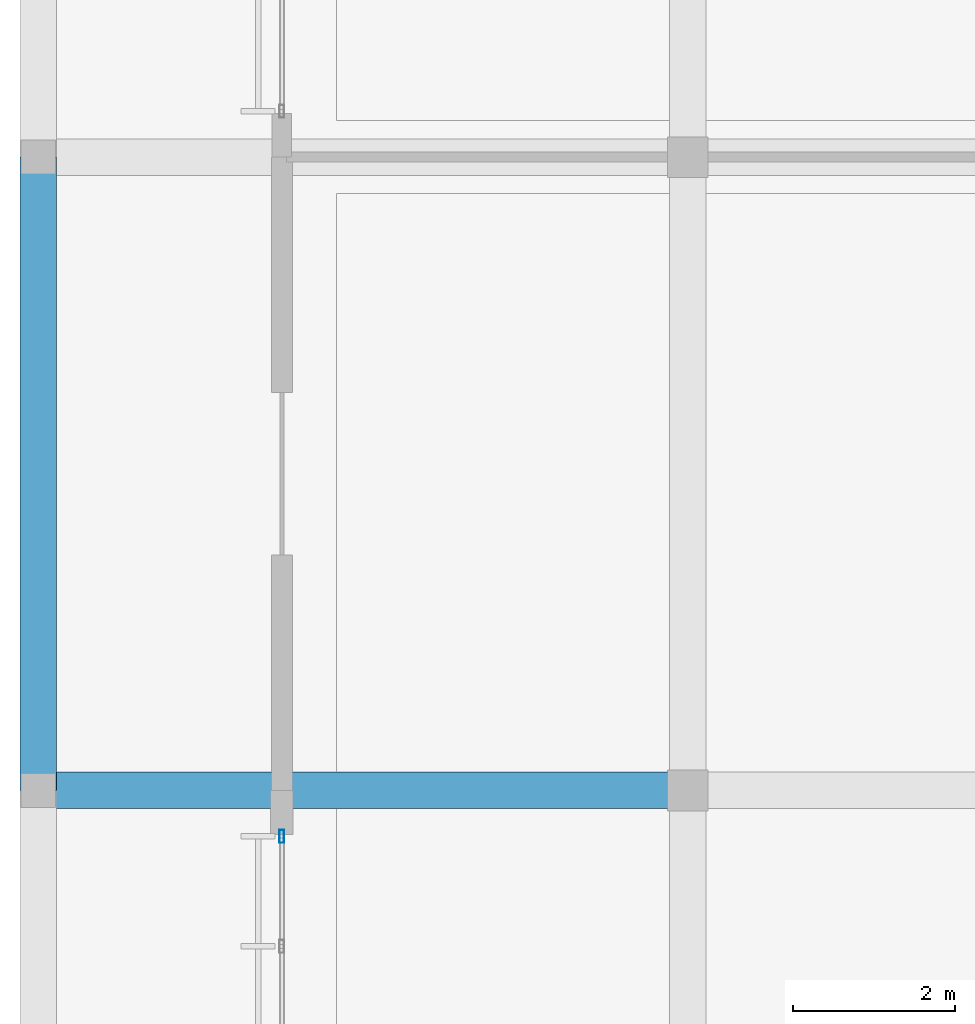
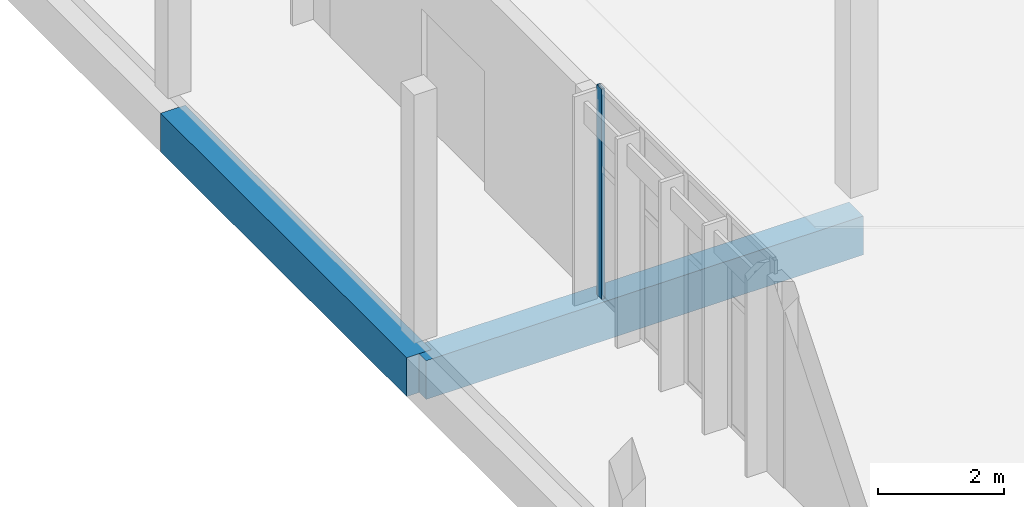
# One storey, part 29 of 151: 2 beams, 1 member, 1 element without a shape of its own.
"""IFC4 building model written with IfcOpenShell, lengths in metres."""

from ifc_helpers import new_model, si_unit, direction, frame, origin, origin_2d, place, context, subcontext, project, spatial, rectangle, hollow_rectangle, extrude, material, material_profile, profile_set, type_object, element, aggregate, save


model = new_model("IFC4")

# Units and contexts
model_context = context("Model", 3, precision=1e-05, world=origin(), true_north=direction((0.0, 1.0)))
body_context = subcontext(model_context, "Body", "Model", "MODEL_VIEW")
ifc_project = project(units=[si_unit("LENGTHUNIT", "METRE"), si_unit("AREAUNIT", "SQUARE_METRE"), si_unit("VOLUMEUNIT", "CUBIC_METRE"), si_unit("PLANEANGLEUNIT", "RADIAN"), si_unit("MASSUNIT", "GRAM", prefix="KILO")], contexts=[model_context])

# Site, building, storey
site_placement = place(None, origin())
site = spatial("IfcSite", under=ifc_project, at=site_placement, CompositionType="ELEMENT")
building_placement = place(site_placement, origin())
building = spatial("IfcBuilding", under=site, at=building_placement, Name="Chiffa Square Polytechnic", CompositionType="ELEMENT")
storey_placement = place(building_placement, origin())
storey = spatial("IfcBuildingStorey", under=building, at=storey_placement, Name="L00", CompositionType="ELEMENT", Elevation=0.0)

# Curtain wall, member
ifc_material_1 = material(Name="Aluminium EN AW-6060 T66 and glulam shading", Category="wood")
curtain_wall_type = type_object("IfcCurtainWallType", Name="CW-VERT-360X380", PredefinedType="USERDEFINED", material=ifc_material_1)
curtain_wall_placement = place(storey_placement, origin())
curtain_wall = element("IfcCurtainWall", 1, at=curtain_wall_placement, inside=storey, type_object=curtain_wall_type, Name="Curtain wall CW-V6-L00-253", ObjectType="CURTAIN WALL", PredefinedType="USERDEFINED")
ifc_material_2 = material(Name="Aluminium EN AW-6060 T66", Category="aluminium")
ifc_material_profile_1 = material_profile(ifc_material_2, hollow_rectangle(XDim=0.06005859375, YDim=0.159912109375, WallThickness=0.00390625, at=origin_2d()), Name="ALU 60x160x4")
ifc_profile_set_1 = profile_set([ifc_material_profile_1], Name="Aluminium EN AW-6060 T66")
member_type = type_object("IfcMemberType", Name="CWM-ALU-65X150", PredefinedType="MULLION", material=ifc_profile_set_1)
member_placement = place(storey_placement, frame((3.0, 57.034912109375, 0.0), z_axis=(0.0, 0.0, 1.0), x_axis=(1.0, 0.0, 0.0)))
member = element("IfcMember", 2, at=member_placement, type_object=member_type, Name="Curtain wall mullion CW-V6-L00-253-M00", PredefinedType="MULLION", context=body_context, shape_type="SweptSolid", body=[
    extrude(hollow_rectangle(XDim=0.06005859375, YDim=0.159912109375, WallThickness=0.00390625, at=origin_2d()), origin(), (0.0, 0.0, 1.0), 4.06494140625),
])
aggregate(curtain_wall, [member])

# Beams
ifc_material_3 = material(Name="Concrete C35/45", Category="concrete")
ifc_material_profile_2 = material_profile(ifc_material_3, rectangle(XDim=0.449951171875, YDim=0.75, at=origin_2d()), Name="RC 450x750")
ifc_profile_set_2 = profile_set([ifc_material_profile_2], Name="Concrete C35/45")
beam_type = type_object("IfcBeamType", Name="GB-RC-450X750", PredefinedType="BEAM", material=ifc_profile_set_2)
beam_1_placement = place(storey_placement, frame((0.0, 57.60009765625, -0.77490234375), z_axis=(1.0, 0.0, 0.0), x_axis=(0.0, 1.0, 0.0)))
element("IfcBeam", 3, at=beam_1_placement, inside=storey, type_object=beam_type, Name="Ground tie beam GB-V6-X-163", PredefinedType="BEAM", context=body_context, shape_type="SweptSolid", body=[
    extrude(rectangle(XDim=0.449951171875, YDim=0.75, at=origin_2d()), origin(), (0.0, 0.0, 1.0), 8.0),
])
beam_2_placement = place(storey_placement, frame((0.0, 57.60009765625, -0.77490234375), z_axis=(0.0, 1.0, 0.0), x_axis=(-1.0, 0.0, 0.0)))
element("IfcBeam", 4, at=beam_2_placement, inside=storey, type_object=beam_type, Name="Ground tie beam GB-V6-Y-198", PredefinedType="BEAM", context=body_context, shape_type="SweptSolid", body=[
    extrude(rectangle(XDim=0.449951171875, YDim=0.75, at=origin_2d()), origin(), (0.0, 0.0, 1.0), 7.7998046875),
])

save(model, "model.ifc")
